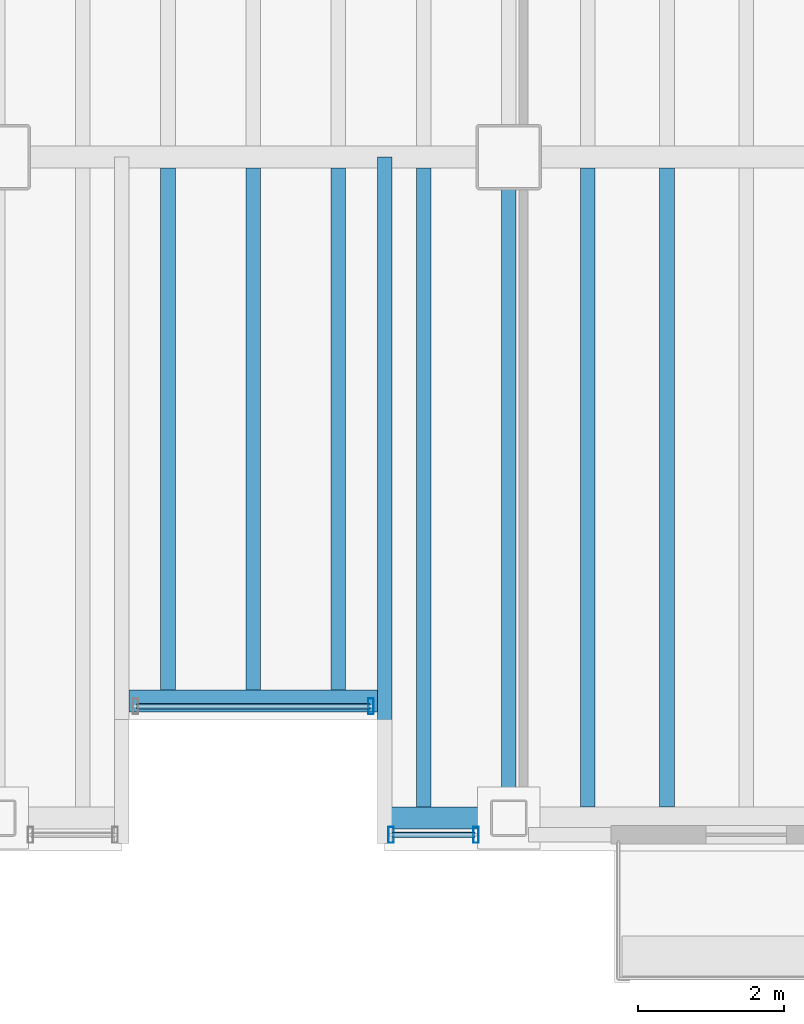
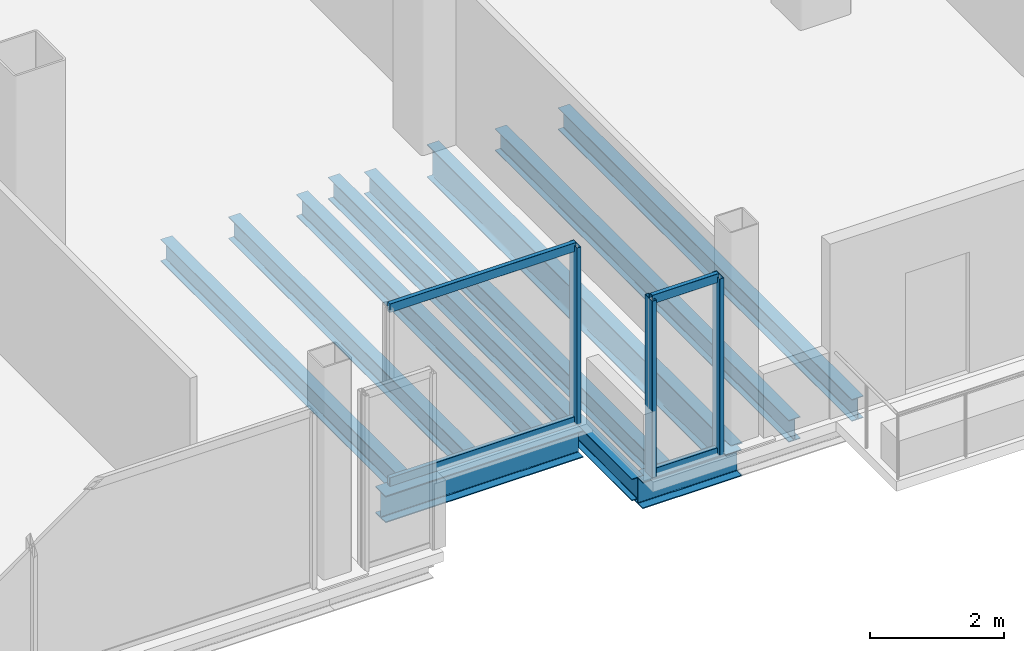
# One storey, part 5 of 20: 10 beams, 7 members, 2 elements without a shape of their own.
"""IFC4 building model written with IfcOpenShell, lengths in metres."""

from ifc_helpers import new_model, si_unit, direction, frame, origin, origin_2d, place, context, subcontext, project, spatial, hollow_rectangle, i_section, extrude, material, material_profile, profile_set, type_object, element, aggregate, save


model = new_model("IFC4")

# Units and contexts
model_context = context("Model", 3, precision=1e-05, world=origin(), true_north=direction((0.0, 1.0)))
body_context = subcontext(model_context, "Body", "Model", "MODEL_VIEW")
ifc_project = project(units=[si_unit("LENGTHUNIT", "METRE"), si_unit("AREAUNIT", "SQUARE_METRE"), si_unit("VOLUMEUNIT", "CUBIC_METRE"), si_unit("PLANEANGLEUNIT", "RADIAN"), si_unit("MASSUNIT", "GRAM", prefix="KILO")], contexts=[model_context])

# Site, building, storey
site_placement = place(None, origin())
site = spatial("IfcSite", under=ifc_project, at=site_placement, CompositionType="ELEMENT")
building_placement = place(site_placement, origin())
building = spatial("IfcBuilding", under=site, at=building_placement, Name="Noeulbin Bourse Tower", CompositionType="ELEMENT")
storey_placement = place(building_placement, frame((0.0, 0.0, 122.699951171875)))
storey = spatial("IfcBuildingStorey", under=building, at=storey_placement, Name="L30", CompositionType="ELEMENT", Elevation=122.699951171875)

# Beams
ifc_material_1 = material(Name="Steel S355", Category="steel")
ifc_material_profile_1 = material_profile(ifc_material_1, i_section(OverallWidth=0.199951171875, OverallDepth=0.60009765625, WebThickness=0.010986328125, FlangeThickness=0.01708984375, FilletRadius=0.02197265625, at=origin_2d()), Name="H-600x200x11x17", Category="LoadBearing")
ifc_profile_set_1 = profile_set([ifc_material_profile_1], Name="Steel S355")
beam_type_1 = type_object("IfcBeamType", Name="BM-GRD-600", PredefinedType="USERDEFINED", material=ifc_profile_set_1)
beam_1_placement = place(storey_placement, frame((31.0, 10.949951171875, -0.47998046875), z_axis=(0.0, 1.0, 0.0), x_axis=(-1.0, 0.0, 0.0)))
element("IfcBeam", 1, at=beam_1_placement, inside=storey, type_object=beam_type_1, Name="Tower Primary Girder NS L30-3.1", ObjectType="GIRDER", PredefinedType="USERDEFINED", context=body_context, shape_type="SweptSolid", body=[
    extrude(i_section(OverallWidth=0.199951171875, OverallDepth=0.60009765625, WebThickness=0.010986328125, FlangeThickness=0.01708984375, FilletRadius=0.02197265625, at=origin_2d()), origin(), (0.0, 0.0, 1.0), 9.050048828125),
])
ifc_material_profile_2 = material_profile(ifc_material_1, i_section(OverallWidth=0.199951171875, OverallDepth=0.39990234375, WebThickness=0.008056640625, FlangeThickness=0.012939453125, FilletRadius=0.01611328125, at=origin_2d()), Name="H-400x200x8x13", Category="LoadBearing")
ifc_profile_set_2 = profile_set([ifc_material_profile_2], Name="Steel S355")
beam_type_2 = type_object("IfcBeamType", Name="BM-SEC-400", PredefinedType="BEAM", material=ifc_profile_set_2)
beam_2_placement = place(storey_placement, frame((29.300048828125, 10.949951171875, -0.3798828125), z_axis=(0.0, 1.0, 0.0), x_axis=(-1.0, 0.0, 0.0)))
element("IfcBeam", 2, at=beam_2_placement, inside=storey, type_object=beam_type_2, Name="BM-L30-SRT-E", PredefinedType="BEAM", context=body_context, shape_type="SweptSolid", body=[
    extrude(i_section(OverallWidth=0.199951171875, OverallDepth=0.39990234375, WebThickness=0.008056640625, FlangeThickness=0.012939453125, FilletRadius=0.01611328125, at=origin_2d()), origin(), (0.0, 0.0, 1.0), 9.050048828125),
])
for number, where, z_axis, x_axis, name in (
    (3, (26.333251953125, 12.699951171875, -0.3798828125), (0.0, 1.0, 0.0), (-1.0, 0.0, 0.0), "Tower Composite Joist L30-19"),
    (4, (27.5, 12.699951171875, -0.3798828125), (0.0, 1.0, 0.0), (-1.0, 0.0, 0.0), "Tower Composite Joist L30-21"),
    (5, (28.666748046875, 12.699951171875, -0.3798828125), (0.0, 1.0, 0.0), (-1.0, 0.0, 0.0), "Tower Composite Joist L30-23"),
):
    element("IfcBeam", number, at=place(storey_placement, frame(where, z_axis=z_axis, x_axis=x_axis)), inside=storey, type_object=beam_type_2, Name=name, PredefinedType="BEAM", context=body_context, shape_type="SweptSolid", body=[
        extrude(i_section(OverallWidth=0.199951171875, OverallDepth=0.39990234375, WebThickness=0.008056640625, FlangeThickness=0.012939453125, FilletRadius=0.01611328125, at=origin_2d()), origin(), (0.0, 0.0, 1.0), 7.150146484375),
    ])
for number, where, z_axis, x_axis, name in (
    (6, (29.833251953125, 11.10009765625, -0.3798828125), (0.0, 1.0, 0.0), (-1.0, 0.0, 0.0), "Tower Composite Joist L30-25"),
    (7, (32.083251953125, 11.10009765625, -0.3798828125), (0.0, 1.0, 0.0), (-1.0, 0.0, 0.0), "Tower Composite Joist L30-27"),
    (8, (33.166748046875, 11.10009765625, -0.3798828125), (0.0, 1.0, 0.0), (-1.0, 0.0, 0.0), "Tower Composite Joist L30-29"),
):
    element("IfcBeam", number, at=place(storey_placement, frame(where, z_axis=z_axis, x_axis=x_axis)), inside=storey, type_object=beam_type_2, Name=name, PredefinedType="BEAM", context=body_context, shape_type="SweptSolid", body=[
        extrude(i_section(OverallWidth=0.199951171875, OverallDepth=0.39990234375, WebThickness=0.008056640625, FlangeThickness=0.012939453125, FilletRadius=0.01611328125, at=origin_2d()), origin(), (0.0, 0.0, 1.0), 8.75),
    ])
ifc_material_profile_3 = material_profile(ifc_material_1, i_section(OverallWidth=0.300048828125, OverallDepth=0.488037109375, WebThickness=0.010986328125, FlangeThickness=0.01806640625, FilletRadius=0.02197265625, at=origin_2d()), Name="H-488x300x11x18", Category="LoadBearing")
ifc_profile_set_3 = profile_set([ifc_material_profile_3], Name="Steel S355")
beam_type_3 = type_object("IfcBeamType", Name="BM-SPN-488", PredefinedType="SPANDREL", material=ifc_profile_set_3)
beam_3_placement = place(storey_placement, frame((25.800048828125, 12.550048828125, -0.424072265625), z_axis=(1.0, 0.0, 0.0), x_axis=(0.0, 1.0, 0.0)))
element("IfcBeam", 9, at=beam_3_placement, inside=storey, type_object=beam_type_3, Name="South Recess Spandrel L30-2B", PredefinedType="SPANDREL", context=body_context, shape_type="SweptSolid", body=[
    extrude(i_section(OverallWidth=0.300048828125, OverallDepth=0.488037109375, WebThickness=0.010986328125, FlangeThickness=0.01806640625, FilletRadius=0.02197265625, at=origin_2d()), origin(), (0.0, 0.0, 1.0), 3.39990234375),
])
beam_4_placement = place(storey_placement, frame((29.300048828125, 10.949951171875, -0.424072265625), z_axis=(1.0, 0.0, 0.0), x_axis=(0.0, 1.0, 0.0)))
element("IfcBeam", 10, at=beam_4_placement, inside=storey, type_object=beam_type_3, Name="South Spandrel L30-2C", PredefinedType="SPANDREL", context=body_context, shape_type="SweptSolid", body=[
    extrude(i_section(OverallWidth=0.300048828125, OverallDepth=0.488037109375, WebThickness=0.010986328125, FlangeThickness=0.01806640625, FilletRadius=0.02197265625, at=origin_2d()), origin(), (0.0, 0.0, 1.0), 1.699951171875),
])

# Curtain wall, member
ifc_material_2 = material(Name="Dark Tinted Triple Glazing", Category="glass")
curtain_wall_type = type_object("IfcCurtainWallType", Name="CW-SYS-3", PredefinedType="NOTDEFINED", material=ifc_material_2)
curtain_wall_1_placement = place(storey_placement, origin())
curtain_wall_1 = element("IfcCurtainWall", 11, at=curtain_wall_1_placement, inside=storey, type_object=curtain_wall_type, Name="Unitised Curtain Wall CW-L30-SREC", PredefinedType="NOTDEFINED")
ifc_material_3 = material(Name="Anodised Aluminium 6063-T6", Category="aluminium")
ifc_material_profile_4 = material_profile(ifc_material_3, hollow_rectangle(XDim=0.074951171875, YDim=0.219970703125, WallThickness=0.0048828125, InnerFilletRadius=0.00244140625, OuterFilletRadius=0.0048828125, at=origin_2d()), Name="ALU-MULL-75x220x5", Category="LoadBearing")
ifc_profile_set_4 = profile_set([ifc_material_profile_4], Name="Anodised Aluminium 6063-T6")
member_type_1 = type_object("IfcMemberType", Name="CW-SYS-3-MUL", PredefinedType="MULLION", material=ifc_profile_set_4)
member_1_placement = place(storey_placement, frame((29.110107421875, 12.47998046875, -0.02001953125), z_axis=(0.0, 0.0, 1.0), x_axis=(1.0, 0.0, 0.0)))
member_1 = element("IfcMember", 12, at=member_1_placement, type_object=member_type_1, Name="Curtain Wall Mullion CW-L30-SREC-M01", PredefinedType="MULLION", context=body_context, shape_type="SweptSolid", body=[
    extrude(hollow_rectangle(XDim=0.074951171875, YDim=0.219970703125, WallThickness=0.0048828125, InnerFilletRadius=0.00244140625, OuterFilletRadius=0.0048828125, at=origin_2d()), origin(), (0.0, 0.0, 1.0), 3.219970703125),
])

# Curtain wall, members
curtain_wall_2_placement = place(storey_placement, origin())
curtain_wall_2 = element("IfcCurtainWall", 13, at=curtain_wall_2_placement, inside=storey, type_object=curtain_wall_type, Name="Unitised Curtain Wall CW-L30-S2", PredefinedType="NOTDEFINED")
member_2_placement = place(storey_placement, frame((29.389892578125, 10.719970703125, -0.02001953125), z_axis=(0.0, 0.0, 1.0), x_axis=(1.0, 0.0, 0.0)))
member_2 = element("IfcMember", 14, at=member_2_placement, type_object=member_type_1, Name="Curtain Wall Mullion CW-L30-S2-M00", PredefinedType="MULLION", context=body_context, shape_type="SweptSolid", body=[
    extrude(hollow_rectangle(XDim=0.074951171875, YDim=0.219970703125, WallThickness=0.0048828125, InnerFilletRadius=0.00244140625, OuterFilletRadius=0.0048828125, at=origin_2d()), origin(), (0.0, 0.0, 1.0), 3.219970703125),
])
member_3_placement = place(storey_placement, frame((30.550048828125, 10.719970703125, -0.02001953125), z_axis=(0.0, 0.0, 1.0), x_axis=(1.0, 0.0, 0.0)))
member_3 = element("IfcMember", 15, at=member_3_placement, type_object=member_type_1, Name="Curtain Wall Mullion CW-L30-S2-M01", PredefinedType="MULLION", context=body_context, shape_type="SweptSolid", body=[
    extrude(hollow_rectangle(XDim=0.074951171875, YDim=0.219970703125, WallThickness=0.0048828125, InnerFilletRadius=0.00244140625, OuterFilletRadius=0.0048828125, at=origin_2d()), origin(), (0.0, 0.0, 1.0), 3.219970703125),
])

# Member
ifc_material_profile_5 = material_profile(ifc_material_3, hollow_rectangle(XDim=0.074951171875, YDim=0.159912109375, WallThickness=0.0048828125, InnerFilletRadius=0.00244140625, OuterFilletRadius=0.0048828125, at=origin_2d()), Name="ALU-TRAN-75x160x5", Category="LoadBearing")
ifc_profile_set_5 = profile_set([ifc_material_profile_5], Name="Anodised Aluminium 6063-T6")
member_type_2 = type_object("IfcMemberType", Name="CW-SYS-3-TRN", PredefinedType="USERDEFINED", material=ifc_profile_set_5)
member_4_placement = place(storey_placement, frame((25.89990234375, 12.47998046875, 0.010009765625), z_axis=(1.0, 0.0, 0.0), x_axis=(0.0, 1.0, 0.0)))
member_4 = element("IfcMember", 16, at=member_4_placement, type_object=member_type_2, Name="Curtain Wall Transom CW-L30-SREC-T00", ObjectType="TRANSOM", PredefinedType="USERDEFINED", context=body_context, shape_type="SweptSolid", body=[
    extrude(hollow_rectangle(XDim=0.074951171875, YDim=0.159912109375, WallThickness=0.0048828125, InnerFilletRadius=0.00244140625, OuterFilletRadius=0.0048828125, at=origin_2d()), origin(), (0.0, 0.0, 1.0), 3.2001953125),
])

member_5_placement = place(storey_placement, frame((25.89990234375, 12.47998046875, 3.170166015625), z_axis=(1.0, 0.0, 0.0), x_axis=(0.0, 1.0, 0.0)))
member_5 = element("IfcMember", 17, at=member_5_placement, type_object=member_type_2, Name="Curtain Wall Transom CW-L30-SREC-T01", ObjectType="TRANSOM", PredefinedType="USERDEFINED", context=body_context, shape_type="SweptSolid", body=[
    extrude(hollow_rectangle(XDim=0.074951171875, YDim=0.159912109375, WallThickness=0.0048828125, InnerFilletRadius=0.00244140625, OuterFilletRadius=0.0048828125, at=origin_2d()), origin(), (0.0, 0.0, 1.0), 3.2001953125),
])

aggregate(curtain_wall_1, [member_1, member_4, member_5])

member_6_placement = place(storey_placement, frame((29.39990234375, 10.719970703125, 0.010009765625), z_axis=(1.0, 0.0, 0.0), x_axis=(0.0, 1.0, 0.0)))
member_6 = element("IfcMember", 18, at=member_6_placement, type_object=member_type_2, Name="Curtain Wall Transom CW-L30-S2-T00", ObjectType="TRANSOM", PredefinedType="USERDEFINED", context=body_context, shape_type="SweptSolid", body=[
    extrude(hollow_rectangle(XDim=0.074951171875, YDim=0.159912109375, WallThickness=0.0048828125, InnerFilletRadius=0.00244140625, OuterFilletRadius=0.0048828125, at=origin_2d()), origin(), (0.0, 0.0, 1.0), 1.14013671875),
])

member_7_placement = place(storey_placement, frame((29.39990234375, 10.719970703125, 3.170166015625), z_axis=(1.0, 0.0, 0.0), x_axis=(0.0, 1.0, 0.0)))
member_7 = element("IfcMember", 19, at=member_7_placement, type_object=member_type_2, Name="Curtain Wall Transom CW-L30-S2-T01", ObjectType="TRANSOM", PredefinedType="USERDEFINED", context=body_context, shape_type="SweptSolid", body=[
    extrude(hollow_rectangle(XDim=0.074951171875, YDim=0.159912109375, WallThickness=0.0048828125, InnerFilletRadius=0.00244140625, OuterFilletRadius=0.0048828125, at=origin_2d()), origin(), (0.0, 0.0, 1.0), 1.14013671875),
])

aggregate(curtain_wall_2, [member_2, member_3, member_6, member_7])

save(model, "model.ifc")
